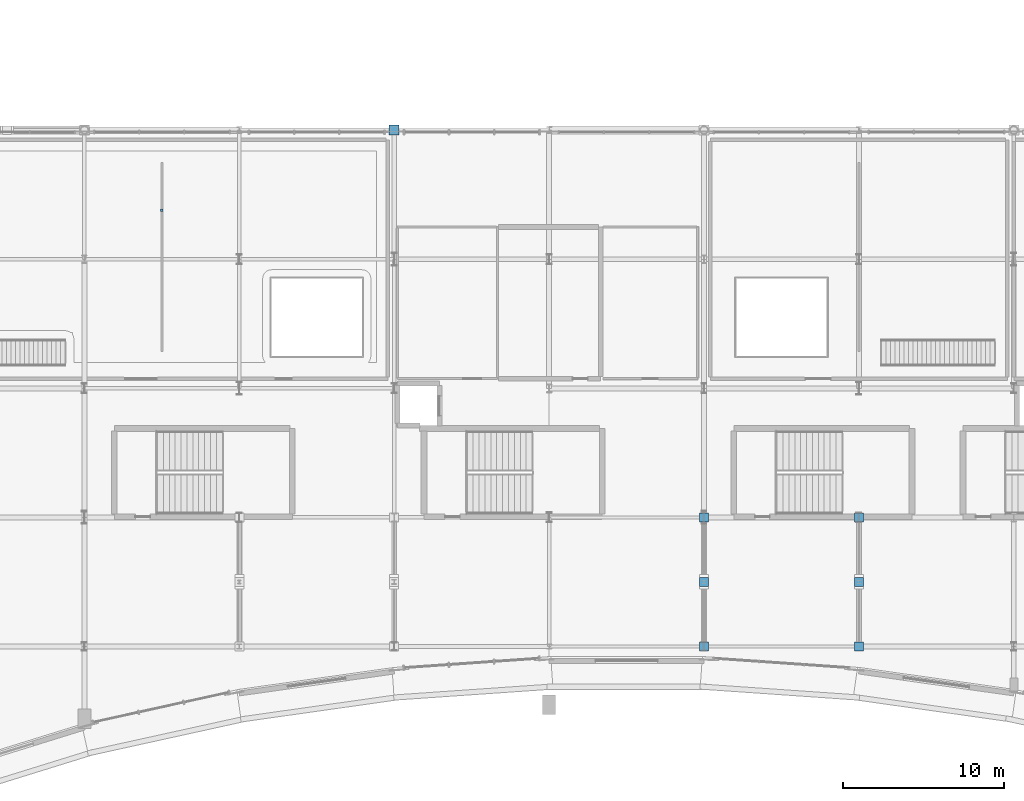
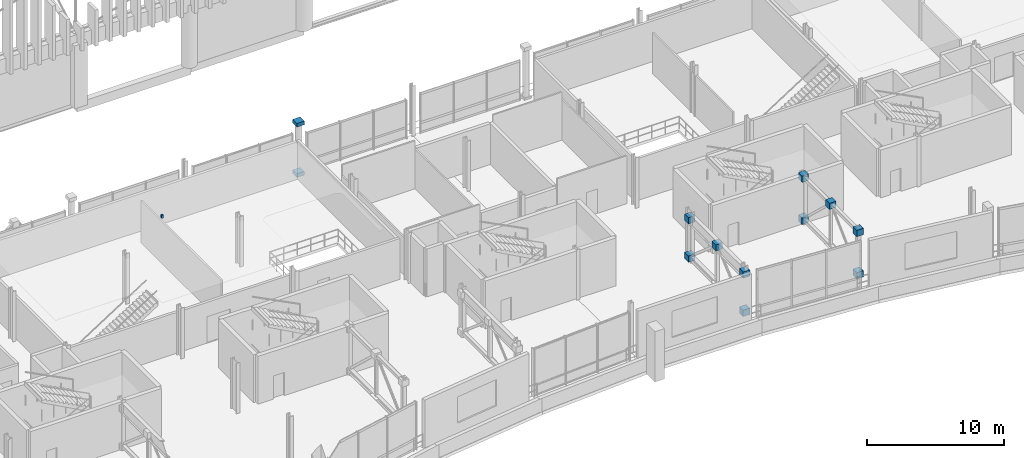
# One storey, part 165 of 193: 13 discrete accessories.
"""IFC4 building model written with IfcOpenShell, lengths in metres."""

from ifc_helpers import new_model, si_unit, direction, frame, origin, origin_2d, place, context, subcontext, project, spatial, rectangle, extrude, material, type_object, element, save


model = new_model("IFC4")

# Units and contexts
model_context = context("Model", 3, precision=1e-05, world=origin(), true_north=direction((0.0, 1.0)))
body_context = subcontext(model_context, "Body", "Model", "MODEL_VIEW")
ifc_project = project(units=[si_unit("LENGTHUNIT", "METRE"), si_unit("AREAUNIT", "SQUARE_METRE"), si_unit("VOLUMEUNIT", "CUBIC_METRE"), si_unit("PLANEANGLEUNIT", "RADIAN"), si_unit("MASSUNIT", "GRAM", prefix="KILO")], contexts=[model_context])

# Site, building, storey
site_placement = place(None, origin())
site = spatial("IfcSite", under=ifc_project, at=site_placement, CompositionType="ELEMENT")
building_placement = place(site_placement, origin())
building = spatial("IfcBuilding", under=site, at=building_placement, Name="Danafjord Basin Convention Centre", CompositionType="ELEMENT")
storey_placement = place(building_placement, frame((0.0, 0.0, 11.39990234375)))
storey = spatial("IfcBuildingStorey", under=building, at=storey_placement, Name="L02", CompositionType="ELEMENT", Elevation=11.39990234375)

# Discrete accessories
ifc_material_1 = material(Name="Stainless steel EN 1.4404", Category="steel")
discrete_accessory_type_1 = type_object("IfcDiscreteAccessoryType", Name="ACC-FIN-BRK", PredefinedType="BRACKET", material=ifc_material_1)
discrete_accessory_placement = place(storey_placement, frame((33.60009765625, 35.02490234375, 4.01025390625), z_axis=(0.0, 0.0, 1.0), x_axis=(1.0, 0.0, 0.0)))
element("IfcDiscreteAccessory", 1, at=discrete_accessory_placement, inside=storey, type_object=discrete_accessory_type_1, Name="Suspended ceiling steel hanger assembly", PredefinedType="BRACKET", context=body_context, shape_type="SweptSolid", body=[
    extrude(rectangle(XDim=0.159912109375, YDim=0.159912109375, at=origin_2d()), origin(), (0.0, 0.0, 1.0), 0.280029296875),
])
ifc_material_2 = material(Name="Steel S355", Category="steel")
discrete_accessory_type_2 = type_object("IfcDiscreteAccessoryType", Name="ACC-SF-HUB", PredefinedType="BRACKET", material=ifc_material_2)
for number, where, z_axis, x_axis, name in (
    (2, (48.0, 40.0, -0.16015625), (0.0, 0.0, 1.0), (1.0, 0.0, 0.0), "Tubular steel column transition collar"),
    (3, (48.0, 40.0, 4.33984375), (0.0, 0.0, 1.0), (1.0, 0.0, 0.0), "Tubular steel column top cap plate"),
):
    element("IfcDiscreteAccessory", number, at=place(storey_placement, frame(where, z_axis=z_axis, x_axis=x_axis)), inside=storey, type_object=discrete_accessory_type_2, Name=name, PredefinedType="BRACKET", context=body_context, shape_type="SweptSolid", body=[
        extrude(rectangle(XDim=0.6201171875, YDim=0.6201171875, at=origin_2d()), origin(), (0.0, 0.0, 1.0), 0.320068359375),
    ])
for number, where, z_axis, x_axis, name in (
    (4, (67.199951171875, 8.0, 0.070068359375), (0.0, 0.0, 1.0), (1.0, 0.0, 0.0), "Transfer truss closed steel node"),
    (5, (67.199951171875, 8.0, 3.489990234375), (0.0, 0.0, 1.0), (1.0, 0.0, 0.0), "Transfer truss closed steel node"),
    (6, (67.199951171875, 12.0, 3.489990234375), (0.0, 0.0, 1.0), (1.0, 0.0, 0.0), "Transfer truss closed steel node"),
    (7, (67.199951171875, 16.0, 0.070068359375), (0.0, 0.0, 1.0), (1.0, 0.0, 0.0), "Transfer truss closed steel node"),
    (8, (67.199951171875, 16.0, 3.489990234375), (0.0, 0.0, 1.0), (1.0, 0.0, 0.0), "Transfer truss closed steel node"),
    (9, (76.800048828125, 8.0, 0.070068359375), (0.0, 0.0, 1.0), (1.0, 0.0, 0.0), "Transfer truss closed steel node"),
    (10, (76.800048828125, 8.0, 3.840087890625), (0.0, 0.0, 1.0), (1.0, 0.0, 0.0), "Transfer truss closed steel node"),
    (11, (76.800048828125, 12.0, 3.840087890625), (0.0, 0.0, 1.0), (1.0, 0.0, 0.0), "Transfer truss closed steel node"),
    (12, (76.800048828125, 16.0, 0.070068359375), (0.0, 0.0, 1.0), (1.0, 0.0, 0.0), "Transfer truss closed steel node"),
    (13, (76.800048828125, 16.0, 3.840087890625), (0.0, 0.0, 1.0), (1.0, 0.0, 0.0), "Transfer truss closed steel node"),
):
    element("IfcDiscreteAccessory", number, at=place(storey_placement, frame(where, z_axis=z_axis, x_axis=x_axis)), inside=storey, type_object=discrete_accessory_type_2, Name=name, PredefinedType="BRACKET", context=body_context, shape_type="SweptSolid", body=[
        extrude(rectangle(XDim=0.56005859375, YDim=0.56005859375, at=origin_2d()), origin(), (0.0, 0.0, 1.0), 0.56005859375),
    ])

save(model, "model.ifc")
